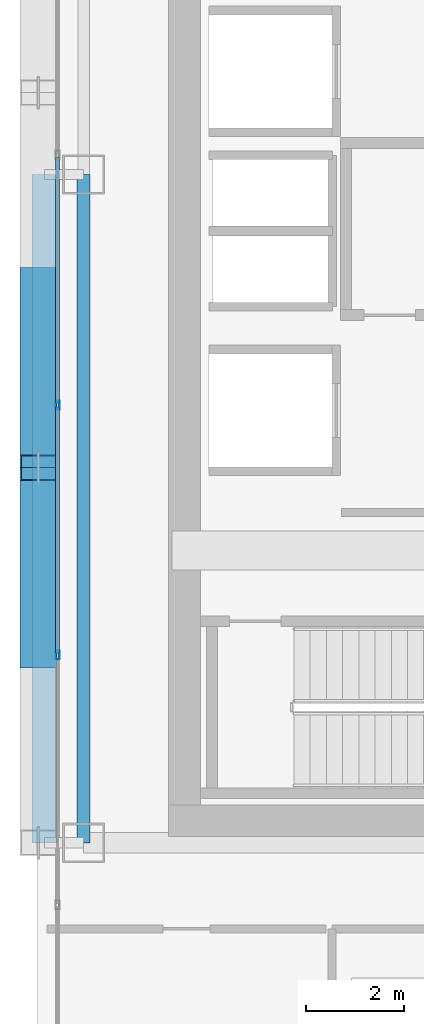
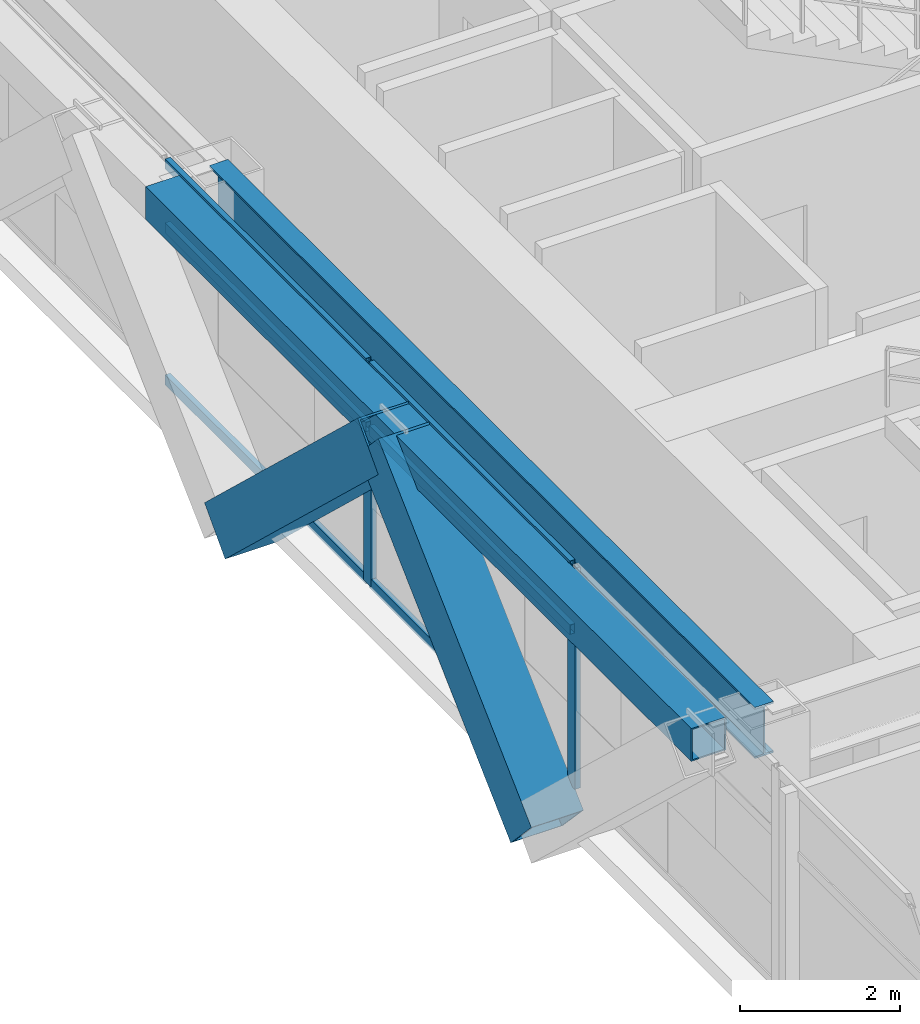
# One storey, part 6 of 34: 10 members, 2 beams, 1 element without a shape of its own.
"""IFC4 building model written with IfcOpenShell, lengths in metres."""

from ifc_helpers import new_model, si_unit, direction, frame, origin, origin_2d, place, context, subcontext, project, spatial, hollow_rectangle, i_section, extrude, source, transform, mapped, material, layer, layer_set, material_profile, profile_set, type_object, element, aggregate, save


model = new_model("IFC4")

# Units and contexts
model_context = context("Model", 3, precision=1e-05, world=origin(), true_north=direction((0.0, 1.0)))
body_context = subcontext(model_context, "Body", "Model", "MODEL_VIEW")
ifc_project = project(units=[si_unit("LENGTHUNIT", "METRE"), si_unit("AREAUNIT", "SQUARE_METRE"), si_unit("VOLUMEUNIT", "CUBIC_METRE"), si_unit("PLANEANGLEUNIT", "RADIAN"), si_unit("MASSUNIT", "GRAM", prefix="KILO")], contexts=[model_context])

# Site, building, storey
site_placement = place(None, origin())
site = spatial("IfcSite", under=ifc_project, at=site_placement, CompositionType="ELEMENT")
building_placement = place(site_placement, origin())
building = spatial("IfcBuilding", under=site, at=building_placement, Name="Ocotamira Hotel", CompositionType="ELEMENT")
storey_placement = place(building_placement, frame((0.0, 0.0, 108.0)))
storey = spatial("IfcBuildingStorey", under=building, at=storey_placement, Name="L26", CompositionType="ELEMENT", Elevation=108.0)

# Beams
ifc_material_1 = material(Name="Steel ASTM A992 Grade 50", Category="steel")
ifc_material_profile_1 = material_profile(ifc_material_1, i_section(OverallWidth=0.26611328125, OverallDepth=0.779052734375, WebThickness=0.0166015625, FlangeThickness=0.030029296875, FilletRadius=0.01806640625, at=origin_2d()), Name="W30X148")
ifc_profile_set_1 = profile_set([ifc_material_profile_1], Name="Steel ASTM A992 Grade 50")
beam_type_1 = type_object("IfcBeamType", Name="BM-GIRD-W30X148", PredefinedType="BEAM", material=ifc_profile_set_1)
shared_shape_1 = source(origin(), body_context, "Body", "SweptSolid", [
    extrude(i_section(OverallWidth=0.26611328125, OverallDepth=0.779052734375, WebThickness=0.0166015625, FlangeThickness=0.030029296875, FilletRadius=0.01806640625, at=origin_2d()), origin(), (0.0, 0.0, 1.0), 13.599853515625),
])
beam_1_placement = place(storey_placement, frame((8.949951171875, 14.550048828125, 2.970458984375), z_axis=(0.0, 1.0, 0.0), x_axis=(-1.0, 0.0, 0.0)))
element("IfcBeam", 1, at=beam_1_placement, inside=storey, type_object=beam_type_1, Name="L26 Beam X8.95 Y14.55-28.15", PredefinedType="BEAM", context=body_context, shape_type="MappedRepresentation", body=[
    mapped(shared_shape_1, transform((0.0, 0.0, 0.0), scale=1.0)),
])
ifc_material_2 = material(Name="Steel ASTM A500 Grade C", Category="steel")
ifc_material_profile_2 = material_profile(ifc_material_2, hollow_rectangle(XDim=0.5, YDim=0.5, WallThickness=0.02001953125, at=origin_2d()), Name="HSS500X500X20")
ifc_profile_set_2 = profile_set([ifc_material_profile_2], Name="Steel ASTM A500 Grade C")
beam_type_2 = type_object("IfcBeamType", Name="BM-SPAN-HSS500", PredefinedType="USERDEFINED", material=ifc_profile_set_2)
shared_shape_2 = source(origin(), body_context, "Body", "SweptSolid", [
    extrude(hollow_rectangle(XDim=0.5, YDim=0.5, WallThickness=0.02001953125, at=origin_2d()), origin(), (0.0, 0.0, 1.0), 13.599853515625),
])
beam_2_placement = place(storey_placement, frame((8.14990234375, 14.550048828125, 3.110107421875), z_axis=(0.0, 1.0, 0.0), x_axis=(-1.0, 0.0, 0.0)))
element("IfcBeam", 2, at=beam_2_placement, inside=storey, type_object=beam_type_2, Name="L26 Edge Spandrel W Y14.55-28.15", ObjectType="SPANDREL", PredefinedType="USERDEFINED", context=body_context, shape_type="MappedRepresentation", body=[
    mapped(shared_shape_2, transform((0.0, 0.0, 0.0), scale=1.0)),
])

# Members
ifc_material_3 = material(Name="Pale-metal coated steel ASTM A913 Grade 65", Category="steel")
ifc_material_profile_3 = material_profile(ifc_material_3, hollow_rectangle(XDim=0.75, YDim=0.75, WallThickness=0.028076171875, at=origin_2d()), Name="BOX750X750X28")
ifc_profile_set_3 = profile_set([ifc_material_profile_3], Name="Pale-metal coated steel ASTM A913 Grade 65")
member_type_1 = type_object("IfcMemberType", Name="MEM-EXO-BOX750", PredefinedType="BRACE", material=ifc_profile_set_3)
shared_shape_3 = source(origin(), body_context, "Body", "SweptSolid", [
    extrude(hollow_rectangle(XDim=0.75, YDim=0.75, WallThickness=0.028076171875, at=origin_2d()), origin(), (0.0, 0.0, 1.0), 5.24658203125),
])
for number, where, z_axis, x_axis, name in (
    (3, (8.030029296875, 18.36669921875, -0.489990234375), (0.0, 0.727442733726, 0.686168397078), (-1.0, 0.0, 0.0), "L26 Exoskeleton Diagrid W0.2"),
    (4, (8.030029296875, 26.0, -0.489990234375), (0.0, -0.727442733726, 0.686168397078), (1.0, 0.0, 0.0), "L26 Exoskeleton Diagrid W1.1"),
):
    element("IfcMember", number, at=place(storey_placement, frame(where, z_axis=z_axis, x_axis=x_axis)), inside=storey, type_object=member_type_1, Name=name, PredefinedType="BRACE", context=body_context, shape_type="MappedRepresentation", body=[
        mapped(shared_shape_3, transform((0.0, 0.0, 0.0), scale=1.0)),
    ])

# Curtain wall, members
ifc_material_4 = material(Name="Anodised pale-metal aluminium and solar glass", Category="aluminium")
ifc_layer = layer(ifc_material_4, 0.179931640625)
ifc_layer_set = layer_set([ifc_layer], Name="Anodised pale-metal aluminium and solar glass")
curtain_wall_type = type_object("IfcCurtainWallType", Name="CW-SYS3-Z2", PredefinedType="NOTDEFINED", material=ifc_layer_set)
curtain_wall_placement = place(storey_placement, origin())
curtain_wall = element("IfcCurtainWall", 5, at=curtain_wall_placement, inside=storey, type_object=curtain_wall_type, Name="L26 Curtain Wall CW-3 CW-L26-W", PredefinedType="NOTDEFINED")
ifc_material_5 = material(Name="Anodised pale-metal aluminium 6063-T6", Category="aluminium")
ifc_material_profile_4 = material_profile(ifc_material_5, hollow_rectangle(XDim=0.074951171875, YDim=0.14990234375, WallThickness=0.006103515625, at=origin_2d()), Name="HSS150X75X6")
ifc_profile_set_4 = profile_set([ifc_material_profile_4], Name="Anodised pale-metal aluminium 6063-T6")
member_type_2 = type_object("IfcMemberType", Name="CWT-150X75", PredefinedType="USERDEFINED", material=ifc_profile_set_4)
shared_shape_4 = source(origin(), body_context, "Body", "SweptSolid", [
    extrude(hollow_rectangle(XDim=0.074951171875, YDim=0.14990234375, WallThickness=0.006103515625, at=origin_2d()), origin(), (0.0, 0.0, 1.0), 5.005859375),
])
member_1_placement = place(storey_placement, frame((8.419921875, 18.411376953125, 0.03759765625), z_axis=(0.0, 1.0, 0.0), x_axis=(-1.0, 0.0, 0.0)))
member_1 = element("IfcMember", 6, at=member_1_placement, type_object=member_type_2, Name="CW-3 transom 3.1", ObjectType="TRANSOM", PredefinedType="USERDEFINED", context=body_context, shape_type="MappedRepresentation", body=[
    mapped(shared_shape_4, transform((0.0, 0.0, 0.0), scale=1.0)),
])
member_2_placement = place(storey_placement, frame((8.419921875, 18.411376953125, 2.35009765625), z_axis=(0.0, 1.0, 0.0), x_axis=(-1.0, 0.0, 0.0)))
member_2 = element("IfcMember", 7, at=member_2_placement, type_object=member_type_2, Name="CW-3 transom 3.2", ObjectType="TRANSOM", PredefinedType="USERDEFINED", context=body_context, shape_type="MappedRepresentation", body=[
    mapped(shared_shape_4, transform((0.0, 0.0, 0.0), scale=1.0)),
])
member_3_placement = place(storey_placement, frame((8.419921875, 18.411376953125, 3.322509765625), z_axis=(0.0, 1.0, 0.0), x_axis=(-1.0, 0.0, 0.0)))
member_3 = element("IfcMember", 8, at=member_3_placement, type_object=member_type_2, Name="CW-3 transom 3.3", ObjectType="TRANSOM", PredefinedType="USERDEFINED", context=body_context, shape_type="MappedRepresentation", body=[
    mapped(shared_shape_4, transform((0.0, 0.0, 0.0), scale=1.0)),
])
member_4_placement = place(storey_placement, frame((8.419921875, 23.4970703125, 0.03759765625), z_axis=(0.0, 1.0, 0.0), x_axis=(-1.0, 0.0, 0.0)))
member_4 = element("IfcMember", 9, at=member_4_placement, type_object=member_type_2, Name="CW-3 transom 4.1", ObjectType="TRANSOM", PredefinedType="USERDEFINED", context=body_context, shape_type="MappedRepresentation", body=[
    mapped(shared_shape_4, transform((0.0, 0.0, 0.0), scale=1.0)),
])
member_5_placement = place(storey_placement, frame((8.419921875, 23.4970703125, 2.35009765625), z_axis=(0.0, 1.0, 0.0), x_axis=(-1.0, 0.0, 0.0)))
member_5 = element("IfcMember", 10, at=member_5_placement, type_object=member_type_2, Name="CW-3 transom 4.2", ObjectType="TRANSOM", PredefinedType="USERDEFINED", context=body_context, shape_type="MappedRepresentation", body=[
    mapped(shared_shape_4, transform((0.0, 0.0, 0.0), scale=1.0)),
])
member_6_placement = place(storey_placement, frame((8.419921875, 23.4970703125, 3.322509765625), z_axis=(0.0, 1.0, 0.0), x_axis=(-1.0, 0.0, 0.0)))
member_6 = element("IfcMember", 11, at=member_6_placement, type_object=member_type_2, Name="CW-3 transom 4.3", ObjectType="TRANSOM", PredefinedType="USERDEFINED", context=body_context, shape_type="MappedRepresentation", body=[
    mapped(shared_shape_4, transform((0.0, 0.0, 0.0), scale=1.0)),
])
ifc_material_profile_5 = material_profile(ifc_material_5, hollow_rectangle(XDim=0.080078125, YDim=0.179931640625, WallThickness=0.006103515625, at=origin_2d()), Name="HSS180X80X6")
ifc_profile_set_5 = profile_set([ifc_material_profile_5], Name="Anodised pale-metal aluminium 6063-T6")
member_type_3 = type_object("IfcMemberType", Name="CWM-180X75", PredefinedType="MULLION", material=ifc_profile_set_5)
shared_shape_5 = source(origin(), body_context, "Body", "SweptSolid", [
    extrude(hollow_rectangle(XDim=0.080078125, YDim=0.179931640625, WallThickness=0.006103515625, at=origin_2d()), origin(), (0.0, 0.0, 1.0), 3.360107421875),
])
member_7_placement = place(storey_placement, frame((8.419921875, 18.371337890625, 0.0), z_axis=(0.0, 0.0, 1.0), x_axis=(-1.0, 0.0, 0.0)))
member_7 = element("IfcMember", 12, at=member_7_placement, type_object=member_type_3, Name="CW-3 mullion 3", PredefinedType="MULLION", context=body_context, shape_type="MappedRepresentation", body=[
    mapped(shared_shape_5, transform((0.0, 0.0, 0.0), scale=1.0)),
])
member_8_placement = place(storey_placement, frame((8.419921875, 23.45703125, 0.0), z_axis=(0.0, 0.0, 1.0), x_axis=(-1.0, 0.0, 0.0)))
member_8 = element("IfcMember", 13, at=member_8_placement, type_object=member_type_3, Name="CW-3 mullion 4", PredefinedType="MULLION", context=body_context, shape_type="MappedRepresentation", body=[
    mapped(shared_shape_5, transform((0.0, 0.0, 0.0), scale=1.0)),
])
aggregate(curtain_wall, [member_7, member_8, member_1, member_2, member_3, member_4, member_5, member_6])

save(model, "model.ifc")
